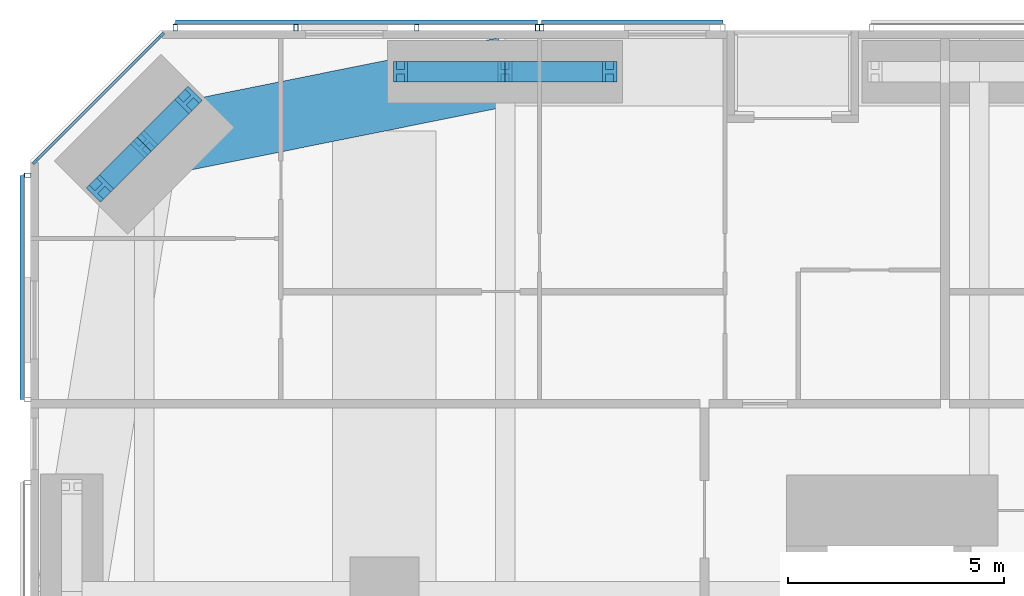
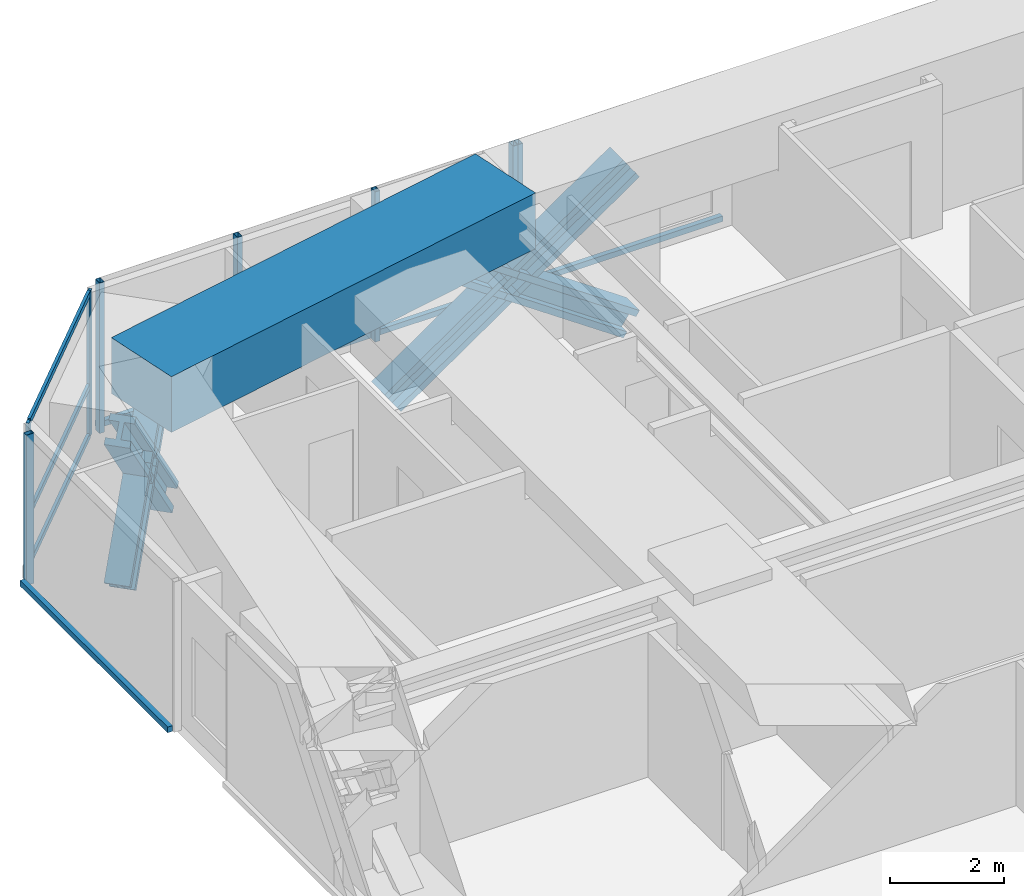
# One storey, part 11 of 23: 22 members, 1 beam, 4 elements without a shape of their own.
"""IFC4 building model written with IfcOpenShell, lengths in metres."""

from ifc_helpers import new_model, si_unit, direction, frame, origin, origin_2d, place, context, subcontext, project, spatial, rectangle, hollow_rectangle, i_section, extrude, material, material_profile, profile_set, type_object, element, aggregate, save


model = new_model("IFC4")

# Units and contexts
model_context = context("Model", 3, precision=1e-05, world=origin(), true_north=direction((0.0, 1.0)))
body_context = subcontext(model_context, "Body", "Model", "MODEL_VIEW")
ifc_project = project(units=[si_unit("LENGTHUNIT", "METRE"), si_unit("AREAUNIT", "SQUARE_METRE"), si_unit("VOLUMEUNIT", "CUBIC_METRE"), si_unit("PLANEANGLEUNIT", "RADIAN"), si_unit("MASSUNIT", "GRAM", prefix="KILO")], contexts=[model_context])

# Site, building, storey
site_placement = place(None, origin())
site = spatial("IfcSite", under=ifc_project, at=site_placement, CompositionType="ELEMENT")
building_placement = place(site_placement, origin())
building = spatial("IfcBuilding", under=site, at=building_placement, Name="Jalousie Tower", CompositionType="ELEMENT")
storey_placement = place(building_placement, frame((0.0, 0.0, 41.10009765625)))
storey = spatial("IfcBuildingStorey", under=building, at=storey_placement, Name="L10", CompositionType="ELEMENT", Elevation=41.10009765625)

# Curtain wall, members
ifc_material_1 = material(Name="Aluminium curtain wall", Category="aluminium")
curtain_wall_type_1 = type_object("IfcCurtainWallType", Name="CORNER WINDOW WALL", PredefinedType="USERDEFINED", material=ifc_material_1)
curtain_wall_1_placement = place(storey_placement, origin())
curtain_wall_1 = element("IfcCurtainWall", 1, at=curtain_wall_1_placement, inside=storey, type_object=curtain_wall_type_1, Name="Corner Window Wall L10 6", ObjectType="CORNER WINDOW WALL", PredefinedType="USERDEFINED")
ifc_material_2 = material(Name="Aluminium mullion", Category="aluminium")
ifc_material_profile_1 = material_profile(ifc_material_2, rectangle(XDim=0.06005859375, YDim=0.14990234375, at=origin_2d()), Name="MULLION 60x150")
ifc_profile_set_1 = profile_set([ifc_material_profile_1], Name="Aluminium mullion")
member_type_1 = type_object("IfcMemberType", Name="CORNER WINDOW WALL MULLION", PredefinedType="MULLION", material=ifc_profile_set_1)
member_1_placement = place(storey_placement, frame((5.030029296875, 37.891357421875, 0.0), z_axis=(0.0, 0.0, 1.0), x_axis=(0.707106781187, -0.707106781187, 0.0)))
member_1 = element("IfcMember", 2, at=member_1_placement, type_object=member_type_1, Name="CW-C mullion 1", PredefinedType="MULLION", context=body_context, shape_type="SweptSolid", body=[
    extrude(rectangle(XDim=0.06005859375, YDim=0.14990234375, at=origin_2d()), origin(), (0.0, 0.0, 1.0), 3.10986328125),
])
member_2_placement = place(storey_placement, frame((2.108642578125, 34.969970703125, 0.0), z_axis=(0.0, 0.0, 1.0), x_axis=(0.707106781187, -0.707106781187, 0.0)))
member_2 = element("IfcMember", 3, at=member_2_placement, type_object=member_type_1, Name="CW-C mullion 2", PredefinedType="MULLION", context=body_context, shape_type="SweptSolid", body=[
    extrude(rectangle(XDim=0.06005859375, YDim=0.14990234375, at=origin_2d()), origin(), (0.0, 0.0, 1.0), 3.10986328125),
])
ifc_material_3 = material(Name="Aluminium transom", Category="aluminium")
ifc_material_profile_2 = material_profile(ifc_material_3, rectangle(XDim=0.06005859375, YDim=0.1201171875, at=origin_2d()), Name="TRANSOM 60x120")
ifc_profile_set_2 = profile_set([ifc_material_profile_2], Name="Aluminium transom")
member_type_2 = type_object("IfcMemberType", Name="CORNER WINDOW WALL TRANSOM", PredefinedType="USERDEFINED", material=ifc_profile_set_2)
member_3_placement = place(storey_placement, frame((5.0087890625, 37.8701171875, 0.02978515625), z_axis=(-0.707106781187, -0.707106781187, 0.0), x_axis=(0.707106781187, -0.707106781187, 0.0)))
member_3 = element("IfcMember", 4, at=member_3_placement, type_object=member_type_2, Name="CW-C transom 1.1", ObjectType="TRANSOM", PredefinedType="USERDEFINED", context=body_context, shape_type="SweptSolid", body=[
    extrude(rectangle(XDim=0.06005859375, YDim=0.1201171875, at=origin_2d()), origin(), (0.0, 0.0, 1.0), 4.0712890625),
])
member_4_placement = place(storey_placement, frame((5.0087890625, 37.8701171875, 1.099853515625), z_axis=(-0.707106781187, -0.707106781187, 0.0), x_axis=(0.707106781187, -0.707106781187, 0.0)))
member_4 = element("IfcMember", 5, at=member_4_placement, type_object=member_type_2, Name="CW-C transom 1.2", ObjectType="TRANSOM", PredefinedType="USERDEFINED", context=body_context, shape_type="SweptSolid", body=[
    extrude(rectangle(XDim=0.06005859375, YDim=0.1201171875, at=origin_2d()), origin(), (0.0, 0.0, 1.0), 4.0712890625),
])
member_5_placement = place(storey_placement, frame((5.0087890625, 37.8701171875, 3.079833984375), z_axis=(-0.707106781187, -0.707106781187, 0.0), x_axis=(0.707106781187, -0.707106781187, 0.0)))
member_5 = element("IfcMember", 6, at=member_5_placement, type_object=member_type_2, Name="CW-C transom 1.3", ObjectType="TRANSOM", PredefinedType="USERDEFINED", context=body_context, shape_type="SweptSolid", body=[
    extrude(rectangle(XDim=0.06005859375, YDim=0.1201171875, at=origin_2d()), origin(), (0.0, 0.0, 1.0), 4.0712890625),
])
aggregate(curtain_wall_1, [member_1, member_2, member_3, member_4, member_5])

# Members
ifc_material_4 = material(Name="Steel ASTM A992 Grade 50", Category="steel")
ifc_material_profile_3 = material_profile(ifc_material_4, i_section(OverallWidth=0.472412109375, OverallDepth=0.5791015625, WebThickness=0.094970703125, FlangeThickness=0.1298828125, at=origin_2d()), Name="W14X808")
ifc_profile_set_3 = profile_set([ifc_material_profile_3], Name="Steel ASTM A992 Grade 50")
member_type_3 = type_object("IfcMemberType", Name="PERIMETER BRACE W14X808", PredefinedType="BRACE", material=ifc_profile_set_3)
for number, where, z_axis, x_axis, name in (
    (7, (10.574951171875, 37.050048828125, -0.60009765625), (0.822800062329, 0.0, 0.568330940062), (0.0, 1.0, 0.0), "Perimeter brace 11 L10 part 1"),
    (8, (13.0, 37.050048828125, 1.074951171875), (0.822800062329, 0.0, 0.568330940062), (0.0, 1.0, 0.0), "Perimeter brace 11 L10 part 2"),
    (9, (15.425048828125, 37.050048828125, -0.60009765625), (-0.822800062329, 0.0, 0.568330940062), (0.0, -1.0, 0.0), "Perimeter brace 11 L10 part 3"),
    (10, (13.0, 37.050048828125, 1.074951171875), (-0.822800062329, 0.0, 0.568330940062), (0.0, -1.0, 0.0), "Perimeter brace 11 L10 part 4"),
):
    element("IfcMember", number, at=place(storey_placement, frame(where, z_axis=z_axis, x_axis=x_axis)), inside=storey, type_object=member_type_3, Name=name, PredefinedType="BRACE", context=body_context, shape_type="SweptSolid", body=[
        extrude(i_section(OverallWidth=0.472412109375, OverallDepth=0.5791015625, WebThickness=0.094970703125, FlangeThickness=0.1298828125, at=origin_2d()), origin(), (0.0, 0.0, 1.0), 2.947265625),
    ])
for number, where, z_axis, x_axis, name in (
    (11, (5.65673828125, 36.393798828125, -0.60009765625), (-0.462839993852, -0.462729793854, 0.756082189957), (0.707022586774, -0.707190965575, 0.0), "Perimeter brace 12 L10 part 1"),
    (12, (4.63134765625, 35.36865234375, 1.074951171875), (-0.462729793854, -0.462839993852, 0.756082189957), (0.707190965575, -0.707022586774, 0.0), "Perimeter brace 12 L10 part 2"),
    (13, (3.606201171875, 34.34326171875, -0.60009765625), (0.462729793854, 0.462839993852, 0.756082189957), (-0.707190965575, 0.707022586774, 0.0), "Perimeter brace 12 L10 part 3"),
    (14, (4.63134765625, 35.36865234375, 1.074951171875), (0.462839993852, 0.462729793854, 0.756082189957), (-0.707022586774, 0.707190965575, 0.0), "Perimeter brace 12 L10 part 4"),
):
    element("IfcMember", number, at=place(storey_placement, frame(where, z_axis=z_axis, x_axis=x_axis)), inside=storey, type_object=member_type_3, Name=name, PredefinedType="BRACE", context=body_context, shape_type="SweptSolid", body=[
        extrude(i_section(OverallWidth=0.472412109375, OverallDepth=0.5791015625, WebThickness=0.094970703125, FlangeThickness=0.1298828125, at=origin_2d()), origin(), (0.0, 0.0, 1.0), 2.21533203125),
    ])

# Beam
ifc_material_5 = material(Name="Concrete f'c 40 MPa", Category="concrete")
ifc_material_profile_4 = material_profile(ifc_material_5, rectangle(XDim=1.60009765625, YDim=1.199951171875, at=origin_2d()), Name="RC 1600x1200")
ifc_profile_set_4 = profile_set([ifc_material_profile_4], Name="Concrete f'c 40 MPa")
beam_type = type_object("IfcBeamType", Name="RC BEAM 1600x1200", PredefinedType="BEAM", material=ifc_profile_set_4)
beam_placement = place(storey_placement, frame((13.0, 37.050048828125, 2.75), z_axis=(-0.980407585444, -0.196979609107, 0.0), x_axis=(0.196979609107, -0.980407585444, 0.0)))
element("IfcBeam", 15, at=beam_placement, inside=storey, type_object=beam_type, Name="Edge band beam 11-12 under L11", PredefinedType="BEAM", context=body_context, shape_type="SweptSolid", body=[
    extrude(rectangle(XDim=1.60009765625, YDim=1.199951171875, at=origin_2d()), origin(), (0.0, 0.0, 1.0), 8.535888671875),
])

# Curtain wall, member
ifc_material_6 = material(Name="Perforated aluminium sheet", Category="aluminium")
curtain_wall_type_2 = type_object("IfcCurtainWallType", Name="SOLAR SCREEN SS-1", PredefinedType="USERDEFINED", material=ifc_material_6)
curtain_wall_2_placement = place(storey_placement, origin())
curtain_wall_2 = element("IfcCurtainWall", 16, at=curtain_wall_2_placement, inside=storey, type_object=curtain_wall_type_2, Name="Solar screen L10", ObjectType="SOLAR SCREEN SS-1", PredefinedType="USERDEFINED")
ifc_material_7 = material(Name="Steel ASTM A500 Grade C", Category="steel")
ifc_material_profile_5 = material_profile(ifc_material_7, hollow_rectangle(XDim=0.1015625, YDim=0.15234375, WallThickness=0.00634765625, at=origin_2d()), Name="HSS6X4X1/4")
ifc_profile_set_5 = profile_set([ifc_material_profile_5], Name="Steel ASTM A500 Grade C")
member_type_4 = type_object("IfcMemberType", Name="SOLAR SCREEN SS-1 MULLION", PredefinedType="MULLION", material=ifc_profile_set_5)
member_6_placement = place(storey_placement, frame((13.85009765625, 38.0712890625, -0.1201171875), z_axis=(0.0, 0.0, 1.0), x_axis=(-1.0, 0.0, 0.0)))
member_6 = element("IfcMember", 17, at=member_6_placement, type_object=member_type_4, Name="SS1 post 2", PredefinedType="MULLION", context=body_context, shape_type="SweptSolid", body=[
    extrude(hollow_rectangle(XDim=0.1015625, YDim=0.15234375, WallThickness=0.00634765625, at=origin_2d()), origin(), (0.0, 0.0, 1.0), 3.22998046875),
])

# Curtain wall, members
curtain_wall_3_placement = place(storey_placement, origin())
curtain_wall_3 = element("IfcCurtainWall", 18, at=curtain_wall_3_placement, inside=storey, type_object=curtain_wall_type_2, Name="Solar screen L10", ObjectType="SOLAR SCREEN SS-1", PredefinedType="USERDEFINED")
member_7_placement = place(storey_placement, frame((13.75, 38.0712890625, -0.1201171875), z_axis=(0.0, 0.0, 1.0), x_axis=(-1.0, 0.0, 0.0)))
member_7 = element("IfcMember", 19, at=member_7_placement, type_object=member_type_4, Name="SS1 post 1", PredefinedType="MULLION", context=body_context, shape_type="SweptSolid", body=[
    extrude(hollow_rectangle(XDim=0.1015625, YDim=0.15234375, WallThickness=0.00634765625, at=origin_2d()), origin(), (0.0, 0.0, 1.0), 3.22998046875),
])
member_8_placement = place(storey_placement, frame((10.950439453125, 38.0712890625, -0.1201171875), z_axis=(0.0, 0.0, 1.0), x_axis=(-1.0, 0.0, 0.0)))
member_8 = element("IfcMember", 20, at=member_8_placement, type_object=member_type_4, Name="SS1 post 2", PredefinedType="MULLION", context=body_context, shape_type="SweptSolid", body=[
    extrude(hollow_rectangle(XDim=0.1015625, YDim=0.15234375, WallThickness=0.00634765625, at=origin_2d()), origin(), (0.0, 0.0, 1.0), 3.22998046875),
])
member_9_placement = place(storey_placement, frame((8.15087890625, 38.0712890625, -0.1201171875), z_axis=(0.0, 0.0, 1.0), x_axis=(-1.0, 0.0, 0.0)))
member_9 = element("IfcMember", 21, at=member_9_placement, type_object=member_type_4, Name="SS1 post 3", PredefinedType="MULLION", context=body_context, shape_type="SweptSolid", body=[
    extrude(hollow_rectangle(XDim=0.1015625, YDim=0.15234375, WallThickness=0.00634765625, at=origin_2d()), origin(), (0.0, 0.0, 1.0), 3.22998046875),
])
member_10_placement = place(storey_placement, frame((5.351318359375, 38.0712890625, -0.1201171875), z_axis=(0.0, 0.0, 1.0), x_axis=(-1.0, 0.0, 0.0)))
member_10 = element("IfcMember", 22, at=member_10_placement, type_object=member_type_4, Name="SS1 post 4", PredefinedType="MULLION", context=body_context, shape_type="SweptSolid", body=[
    extrude(hollow_rectangle(XDim=0.1015625, YDim=0.15234375, WallThickness=0.00634765625, at=origin_2d()), origin(), (0.0, 0.0, 1.0), 3.22998046875),
])

# Curtain wall, member
curtain_wall_4_placement = place(storey_placement, origin())
curtain_wall_4 = element("IfcCurtainWall", 23, at=curtain_wall_4_placement, inside=storey, type_object=curtain_wall_type_2, Name="Solar screen L10", ObjectType="SOLAR SCREEN SS-1", PredefinedType="USERDEFINED")
member_11_placement = place(storey_placement, frame((1.9287109375, 34.648681640625, -0.1201171875), z_axis=(0.0, 0.0, 1.0), x_axis=(0.0, -1.0, 0.0)))
member_11 = element("IfcMember", 24, at=member_11_placement, type_object=member_type_4, Name="SS1 post 1", PredefinedType="MULLION", context=body_context, shape_type="SweptSolid", body=[
    extrude(hollow_rectangle(XDim=0.1015625, YDim=0.15234375, WallThickness=0.00634765625, at=origin_2d()), origin(), (0.0, 0.0, 1.0), 3.22998046875),
])

# Member
ifc_material_8 = material(Name="Extruded aluminium screen rail", Category="aluminium")
ifc_material_profile_6 = material_profile(ifc_material_8, rectangle(XDim=0.1015625, YDim=0.1201171875, at=origin_2d()), Name="RAIL 102x120")
ifc_profile_set_6 = profile_set([ifc_material_profile_6], Name="Extruded aluminium screen rail")
member_type_5 = type_object("IfcMemberType", Name="SOLAR SCREEN SS-1 TRANSOM", PredefinedType="USERDEFINED", material=ifc_profile_set_6)
member_12_placement = place(storey_placement, frame((18.050048828125, 38.1982421875, -0.06005859375), z_axis=(-1.0, 0.0, 0.0), x_axis=(0.0, -1.0, 0.0)))
member_12 = element("IfcMember", 25, at=member_12_placement, type_object=member_type_5, Name="SS1 rail", ObjectType="TRANSOM", PredefinedType="USERDEFINED", context=body_context, shape_type="SweptSolid", body=[
    extrude(rectangle(XDim=0.1015625, YDim=0.1201171875, at=origin_2d()), origin(), (0.0, 0.0, 1.0), 4.199951171875),
])

aggregate(curtain_wall_2, [member_6, member_12])

member_13_placement = place(storey_placement, frame((13.75, 38.1982421875, -0.06005859375), z_axis=(-1.0, 0.0, 0.0), x_axis=(0.0, -1.0, 0.0)))
member_13 = element("IfcMember", 26, at=member_13_placement, type_object=member_type_5, Name="SS1 rail", ObjectType="TRANSOM", PredefinedType="USERDEFINED", context=body_context, shape_type="SweptSolid", body=[
    extrude(rectangle(XDim=0.1015625, YDim=0.1201171875, at=origin_2d()), origin(), (0.0, 0.0, 1.0), 8.398681640625),
])

aggregate(curtain_wall_3, [member_7, member_8, member_9, member_10, member_13])

member_14_placement = place(storey_placement, frame((1.8017578125, 34.648681640625, -0.06005859375), z_axis=(0.0, -1.0, 0.0), x_axis=(1.0, 0.0, 0.0)))
member_14 = element("IfcMember", 27, at=member_14_placement, type_object=member_type_5, Name="SS1 rail", ObjectType="TRANSOM", PredefinedType="USERDEFINED", context=body_context, shape_type="SweptSolid", body=[
    extrude(rectangle(XDim=0.1015625, YDim=0.1201171875, at=origin_2d()), origin(), (0.0, 0.0, 1.0), 5.19873046875),
])

aggregate(curtain_wall_4, [member_11, member_14])

save(model, "model.ifc")
